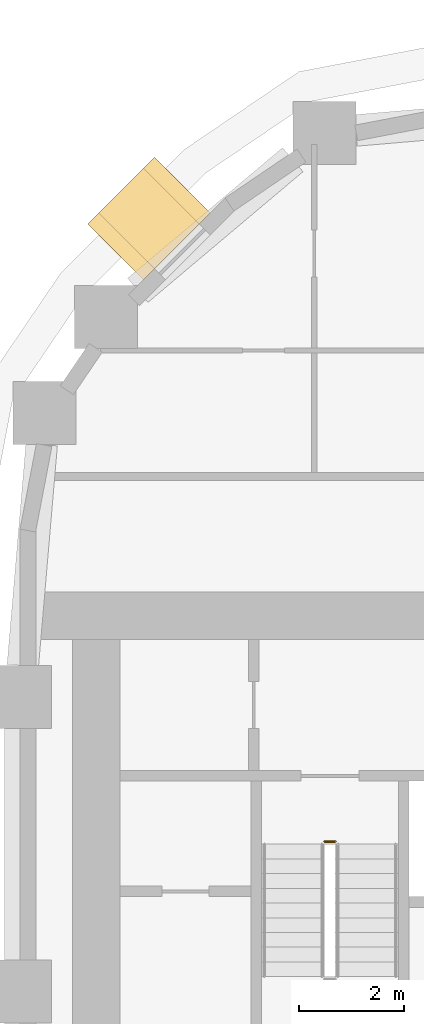
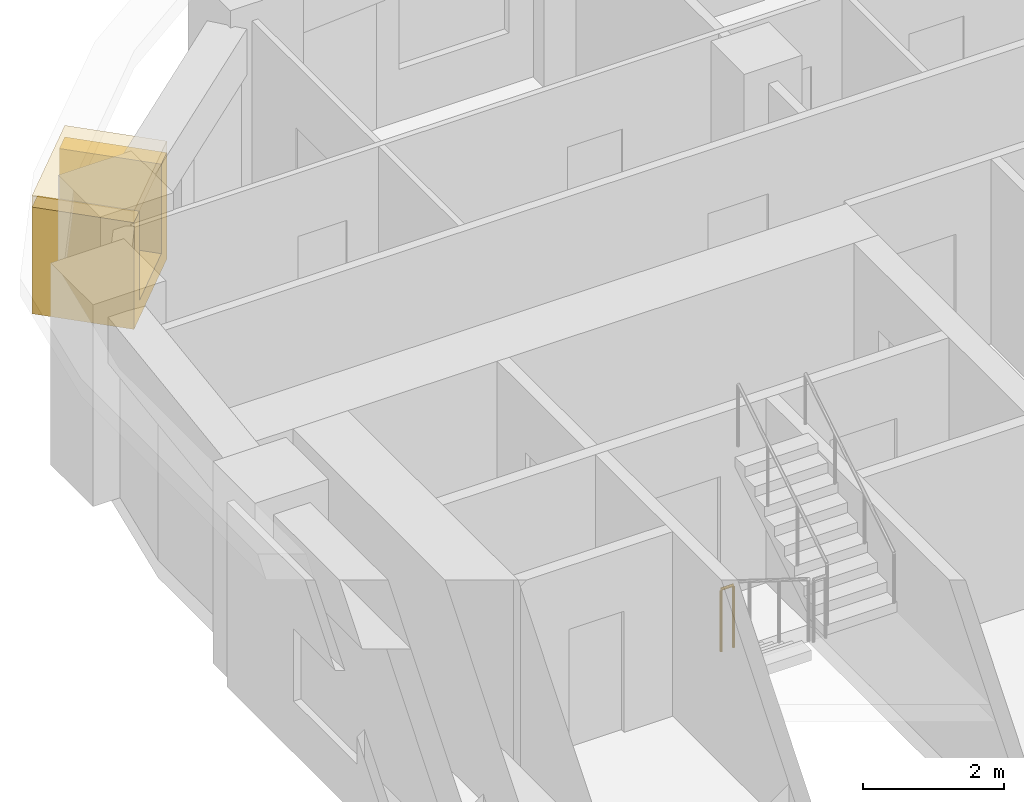
# One storey, part 19 of 21: 2 coverings, 1 railing.
"""IFC4 building model written with IfcOpenShell, lengths in metres."""

import ifcopenshell
import ifcopenshell.guid

model = None  # the IFC model being written
_history = None  # IfcOwnerHistory: only IFC2X3 demands one
_inside = {}  # id of a spatial element -> (the spatial element, [elements in it])
_under = {}  # id of a project, library or spatial element -> (it, [spatial elements below it])
_declared = {}  # id of a project -> (the project, [libraries it declares])
_typed = {}  # id of a type object -> (the type object, [elements of that type])
_made_of = {}  # id of a material, layer set ... -> (it, [elements and type objects made of it])


def new_model(schema):
    """Start an empty IFC model of exactly this schema.

    Asked for "IFC4X3", IfcOpenShell would pick the latest addendum, in which some entities
    have other attributes; the version numbers below select the first issue.
    IFC2X3 requires an IfcOwnerHistory on every rooted entity: one is made here for all.
    """
    global model, _history
    if schema == "IFC4X3":
        model = ifcopenshell.file(schema_version=(4, 3, 0, 0))
    else:
        model = ifcopenshell.file(schema=schema)
    _inside.clear()
    _under.clear()
    _declared.clear()
    _typed.clear()
    _made_of.clear()
    _history = None
    if model.schema == "IFC2X3":
        org = make("IfcOrganization", Name="unknown")
        user = make(
            "IfcPersonAndOrganization",
            ThePerson=make("IfcPerson", FamilyName="unknown"),
            TheOrganization=org,
        )
        app = make(
            "IfcApplication",
            ApplicationDeveloper=org,
            Version="unknown",
            ApplicationFullName="unknown",
            ApplicationIdentifier="unknown",
        )
        _history = make(
            "IfcOwnerHistory",
            OwningUser=user,
            OwningApplication=app,
            ChangeAction="ADDED",
            CreationDate=0,
        )
    return model


def make(cls, **values):
    """One entity of the class cls with the attributes given. An attribute that is None is left unset."""
    return model.create_entity(
        cls, **{name: value for name, value in values.items() if value is not None}
    )


def rooted(cls, **values):
    """An entity with a GlobalId (a new one), such as an element, a storey or a relation."""
    return make(cls, GlobalId=ifcopenshell.guid.new(), OwnerHistory=_history, **values)


def si_unit(unit_type, name, prefix=None):
    """IfcSIUnit, for example si_unit("LENGTHUNIT", "METRE", prefix="MILLI")."""
    return make("IfcSIUnit", UnitType=unit_type, Prefix=prefix, Name=name)


def assignment(units):
    """IfcUnitAssignment: the units of a project."""
    return None if units is None else make("IfcUnitAssignment", Units=units)


def point(xyz):
    """IfcCartesianPoint."""
    return None if xyz is None else make("IfcCartesianPoint", Coordinates=xyz)


def direction(xyz):
    """IfcDirection."""
    return None if xyz is None else make("IfcDirection", DirectionRatios=xyz)


def frame(location, z_axis=None, x_axis=None):
    """IfcAxis2Placement3D, a coordinate frame: its origin and axes. An axis left out is left unset."""
    return make(
        "IfcAxis2Placement3D",
        Location=point(location),
        Axis=direction(z_axis),
        RefDirection=direction(x_axis),
    )


def frame_2d(location, x_axis=None):
    """IfcAxis2Placement2D, a coordinate frame in the plane: its origin and x axis."""
    return make(
        "IfcAxis2Placement2D", Location=point(location), RefDirection=direction(x_axis)
    )


def origin():
    """The frame at (0, 0, 0) with its axes left unset."""
    return frame((0.0, 0.0, 0.0))


def origin_2d():
    """The frame at (0, 0) in the plane with its x axis left unset."""
    return frame_2d((0.0, 0.0))


def place(relative_to, where):
    """IfcLocalPlacement: puts the frame where relative to a parent placement (None: the world)."""
    return make(
        "IfcLocalPlacement", PlacementRelTo=relative_to, RelativePlacement=where
    )


def context(
    kind, dimensions, precision=None, world=None, true_north=None, identifier=None
):
    """IfcGeometricRepresentationContext, for example the 3D "Model" context."""
    return make(
        "IfcGeometricRepresentationContext",
        ContextIdentifier=identifier,
        ContextType=kind,
        CoordinateSpaceDimension=dimensions,
        Precision=precision,
        WorldCoordinateSystem=world,
        TrueNorth=true_north,
    )


def subcontext(parent, identifier, kind, view, scale=None):
    """IfcGeometricRepresentationSubContext, for example "Body" below "Model"."""
    return make(
        "IfcGeometricRepresentationSubContext",
        ContextIdentifier=identifier,
        ContextType=kind,
        ParentContext=parent,
        TargetScale=scale,
        TargetView=view,
    )


def project(units=None, contexts=None):
    """IfcProject with its units and contexts."""
    return rooted(
        "IfcProject",
        Name="project",
        RepresentationContexts=contexts,
        UnitsInContext=assignment(units),
    )


def spatial(cls, under=None, at=None, **own):
    """A site, building, storey or space (cls), placed at a placement, below another one or the project."""
    s = rooted(cls, ObjectPlacement=at, **own)
    if under is not None:
        _under.setdefault(under.id(), (under, []))[1].append(s)
    return s


def polyline(points):
    """IfcPolyline through the points."""
    return make("IfcPolyline", Points=[point(p) for p in points])


def profile(cls, at=None, kind="AREA", **sizes):
    """A parametric profile (cls). Its sizes go by their IFC names, for example OverallWidth=200.0."""
    return make(cls, ProfileType=kind, Position=at, **sizes)


def rectangle(**sizes):
    """IfcRectangleProfileDef."""
    return profile("IfcRectangleProfileDef", **sizes)


def circle(**sizes):
    """IfcCircleProfileDef."""
    return profile("IfcCircleProfileDef", **sizes)


def outline(outer, holes=None, kind="AREA"):
    """IfcArbitraryClosedProfileDef: a profile drawn as a closed curve; with holes, ...WithVoids."""
    if holes is None:
        return make("IfcArbitraryClosedProfileDef", ProfileType=kind, OuterCurve=outer)
    return make(
        "IfcArbitraryProfileDefWithVoids",
        ProfileType=kind,
        OuterCurve=outer,
        InnerCurves=holes,
    )


def extrude(swept, where, along, depth):
    """IfcExtrudedAreaSolid: the profile swept, set in the frame where, extruded along a direction by depth."""
    return make(
        "IfcExtrudedAreaSolid",
        SweptArea=swept,
        Position=where,
        ExtrudedDirection=direction(along),
        Depth=depth,
    )


def shape(context_of_items, identifier, shape_type, items):
    """IfcShapeRepresentation: the items that make up one representation, for example the "Body"."""
    return make(
        "IfcShapeRepresentation",
        ContextOfItems=context_of_items,
        RepresentationIdentifier=identifier,
        RepresentationType=shape_type,
        Items=items,
    )


def material(Name=None, Category=None):
    """IfcMaterial."""
    return make("IfcMaterial", Name=Name, Category=Category)


def layer(
    of_material, thickness, ventilated=None, Name=None, Category=None, Priority=None
):
    """IfcMaterialLayer: one layer of a wall or slab, of a material (None: an air gap)."""
    return make(
        "IfcMaterialLayer",
        Material=of_material,
        LayerThickness=thickness,
        IsVentilated=ventilated,
        Name=Name,
        Category=Category,
        Priority=Priority,
    )


def layer_set(layers, Name=None):
    """IfcMaterialLayerSet."""
    return make("IfcMaterialLayerSet", MaterialLayers=layers, LayerSetName=Name)


def made_of(thing, what):
    """Note that an element or type object is made of a material, layer set ...; save() writes the relation."""
    if what is not None:
        _made_of.setdefault(what.id(), (what, []))[1].append(thing)
    return thing


def type_object(cls, material=None, **own):
    """A type object (cls), such as IfcWallType, which elements share."""
    return made_of(rooted(cls, **own), material)


def element(
    cls,
    number,
    at=None,
    inside=None,
    cuts=None,
    type_object=None,
    material=None,
    context=None,
    identifier="Body",
    shape_type=None,
    held_by="IfcProductDefinitionShape",
    body=None,
    shapes=None,
    **own,
):
    """One element of the class cls, such as IfcWall. Its Tag is "e" and its number.

    at: its placement. inside: the storey or other place that contains it. cuts: it is an
    opening in that element (IfcRelVoidsElement). A single representation is given by context,
    identifier, shape_type and body (its items); several are given by shapes. held_by: the class
    of the entity that holds the representations. save() writes the other relations.
    """
    e = rooted(cls, Tag="e%d" % number, ObjectPlacement=at, **own)
    if body is not None:
        shapes = [shape(context, identifier, shape_type, body)]
    if shapes is not None:
        e.Representation = make(held_by, Representations=shapes)
    if inside is not None:
        _inside.setdefault(inside.id(), (inside, []))[1].append(e)
    if cuts is not None:
        rooted(
            "IfcRelVoidsElement", RelatingBuildingElement=cuts, RelatedOpeningElement=e
        )
    if type_object is not None:
        _typed.setdefault(type_object.id(), (type_object, []))[1].append(e)
    return made_of(e, material)


def aggregate(whole, parts):
    """IfcRelAggregates: a whole, such as a stair, and the parts it consists of."""
    return rooted("IfcRelAggregates", RelatingObject=whole, RelatedObjects=parts)


def save(model, path):
    """Write the relations noted so far, then the file.

    IfcRelAggregates (storeys below a building ...), IfcRelContainedInSpatialStructure (elements
    in a storey), IfcRelDefinesByType, IfcRelAssociatesMaterial and IfcRelDeclares: one each for
    every whole, place, type object, material and project.
    """
    for whole, parts in _under.values():
        aggregate(whole, parts)
    for where, things in _inside.values():
        rooted(
            "IfcRelContainedInSpatialStructure",
            RelatedElements=things,
            RelatingStructure=where,
        )
    for kind, things in _typed.values():
        rooted("IfcRelDefinesByType", RelatedObjects=things, RelatingType=kind)
    for what, things in _made_of.values():
        rooted("IfcRelAssociatesMaterial", RelatedObjects=things, RelatingMaterial=what)
    for by, libraries in _declared.values():
        rooted("IfcRelDeclares", RelatingContext=by, RelatedDefinitions=libraries)
    model.write(path)


model = new_model("IFC4")

# Units and contexts
model_context = context("Model", 3, precision=1e-05, world=origin(), true_north=direction((0.0, 1.0)))
body_context = subcontext(model_context, "Body", "Model", "MODEL_VIEW")
ifc_project = project(units=[si_unit("LENGTHUNIT", "METRE"), si_unit("AREAUNIT", "SQUARE_METRE"), si_unit("VOLUMEUNIT", "CUBIC_METRE"), si_unit("PLANEANGLEUNIT", "RADIAN"), si_unit("MASSUNIT", "GRAM", prefix="KILO")], contexts=[model_context])

# Site, building, storey
site_placement = place(None, origin())
site = spatial("IfcSite", under=ifc_project, at=site_placement, CompositionType="ELEMENT")
building_placement = place(site_placement, origin())
building = spatial("IfcBuilding", under=site, at=building_placement, Name="Kiln Ring Residences", CompositionType="ELEMENT")
storey_placement = place(building_placement, frame((0.0, 0.0, 114.800048828125)))
storey = spatial("IfcBuildingStorey", under=building, at=storey_placement, Name="L29", CompositionType="ELEMENT", Elevation=114.800048828125)

# Railing
ifc_material_1 = material(Name="Stainless steel", Category="steel")
railing_type = type_object("IfcRailingType", Name="CORE-STAIR-GUARD", PredefinedType="GUARDRAIL", material=ifc_material_1)
railing_placement = place(storey_placement, frame((-22.199951171875, 8.449951171875, 0.0)))
element("IfcRailing", 1, at=railing_placement, inside=storey, type_object=railing_type, Name="L29 W-STN stair guard 4", PredefinedType="GUARDRAIL", context=body_context, shape_type="SweptSolid", body=[
    extrude(circle(Radius=0.02392578125, at=origin_2d()), frame((0.0, 0.0, 1.076171875), z_axis=(1.0, 0.0, 0.0), x_axis=(0.0, 1.0, 0.0)), (0.0, 0.0, 1.0), 0.199951171875),
    extrude(circle(Radius=0.02099609375, at=origin_2d()), origin(), (0.0, 0.0, 1.0), 1.052001953125),
    extrude(circle(Radius=0.02099609375, at=origin_2d()), frame((0.199951171875, 0.0, 0.0)), (0.0, 0.0, 1.0), 1.052001953125),
])

# Coverings
ifc_material_2 = material(Name="Brick masonry, dark clay brick", Category="masonry")
ifc_layer_1 = layer(ifc_material_2, 0.300048828125)
ifc_layer_set_1 = layer_set([ifc_layer_1], Name="FRAME CHEEKS AND SILL 1500")
covering_type_1 = type_object("IfcCoveringType", Name="FRAME CHEEKS AND SILL 1500", PredefinedType="CLADDING", material=ifc_layer_set_1)
covering_1_placement = place(storey_placement, frame((-24.91015625, 20.950439453125, 0.300048828125), z_axis=(0.0, 0.0, 1.0), x_axis=(-0.707174592913, -0.707038962956, 0.0)))
element("IfcCovering", 2, at=covering_1_placement, inside=storey, type_object=covering_type_1, Name="FRAME L29", PredefinedType="CLADDING", context=body_context, shape_type="SweptSolid", body=[
    extrude(outline(polyline([(0.0, 0.0), (1.800048828125, 0.0), (1.800048828125, 1.849853515625), (1.5009765625, 1.849853515625), (1.5, 0.2998046875), (0.300048828125, 0.2998046875), (0.299072265625, 1.849853515625), (0.0, 1.849853515625), (0.0, 0.0)])), frame((0.0, 0.75, 0.0), z_axis=(0.0, -1.0, 0.0), x_axis=(1.0, 0.0, 0.0)), (0.0, 0.0, 1.0), 1.5),
])
ifc_material_3 = material(Name="Brick masonry, dark clay brick", Category="masonry")
ifc_layer_2 = layer(ifc_material_3, 0.199951171875)
ifc_layer_set_2 = layer_set([ifc_layer_2], Name="FRAME HEAD 1500")
covering_type_2 = type_object("IfcCoveringType", Name="FRAME HEAD 1500", PredefinedType="CLADDING", material=ifc_layer_set_2)
covering_2_placement = place(storey_placement, frame((-25.546630859375, 20.31396484375, 2.14990234375), z_axis=(0.0, 0.0, 1.0), x_axis=(-0.707106781187, -0.707106781187, 0.0)))
element("IfcCovering", 3, at=covering_2_placement, inside=storey, type_object=covering_type_2, Name="FRAME HEAD L29", PredefinedType="CLADDING", context=body_context, shape_type="SweptSolid", body=[
    extrude(rectangle(XDim=1.800048828125, YDim=1.5, at=origin_2d()), origin(), (0.0, 0.0, 1.0), 0.199951171875),
])

save(model, "model.ifc")
